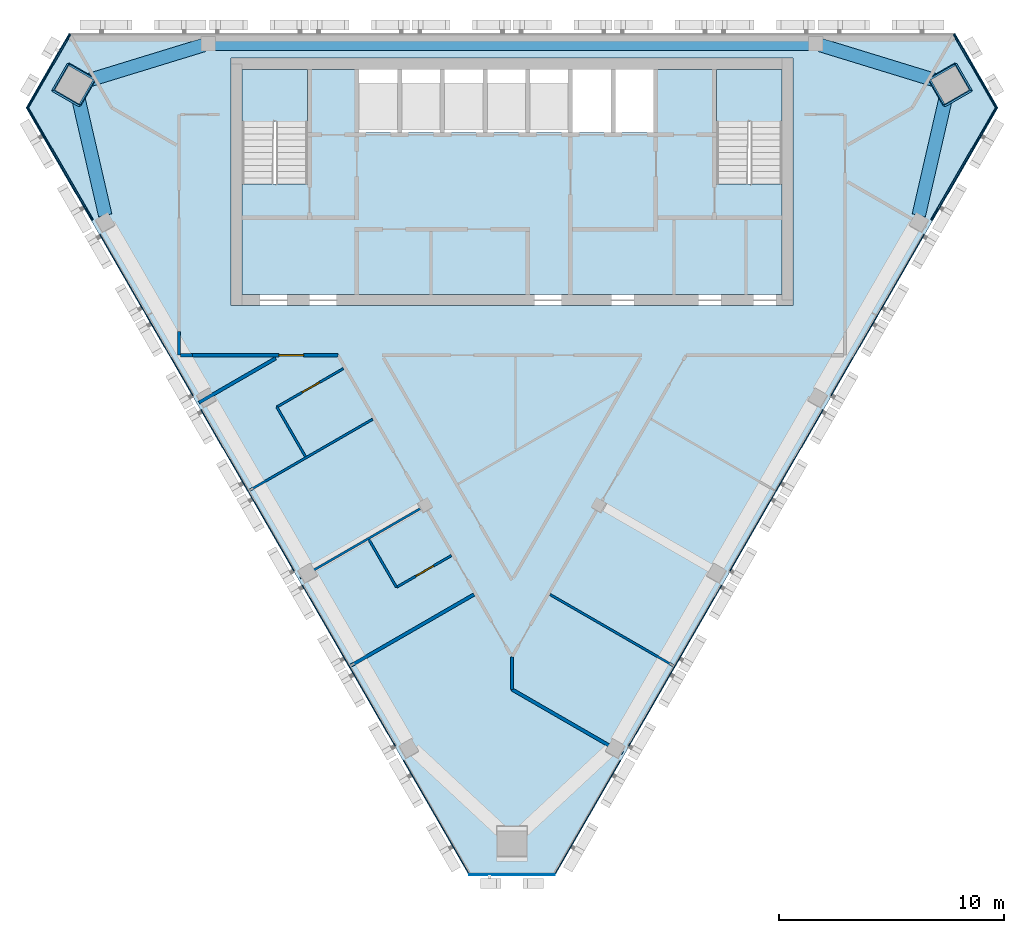
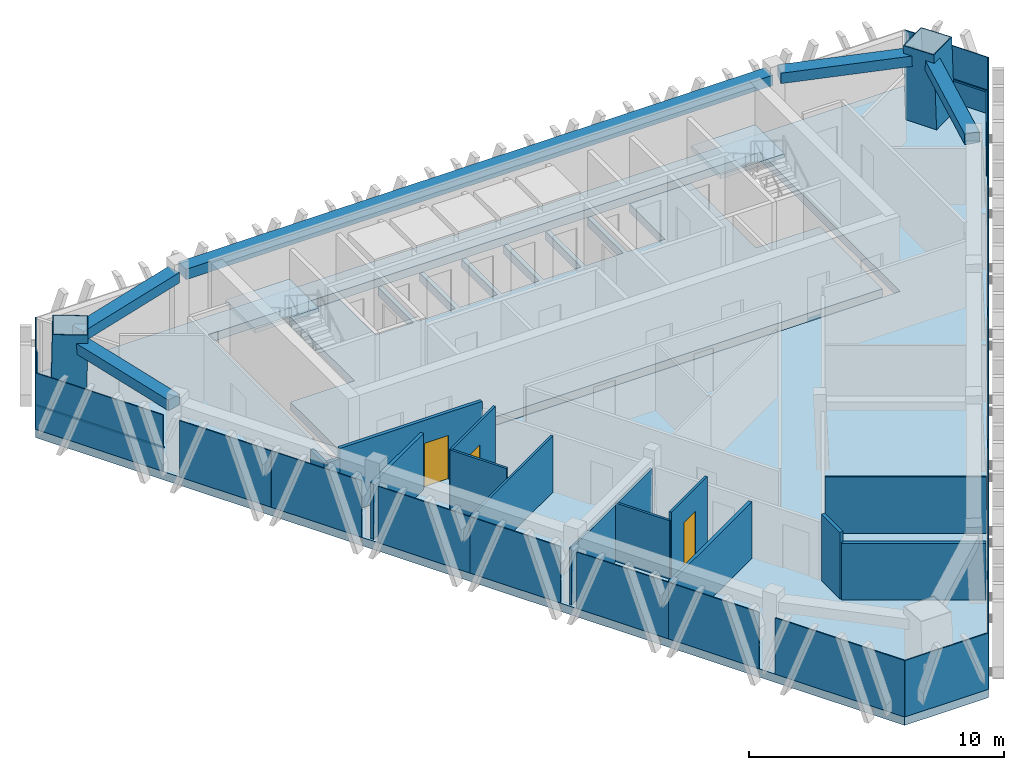
# One storey, part 5 of 12: 19 plates, 14 walls, 6 members, 5 beams, 4 slabs, 3 doors, 3 openings, 7 elements without a shape of their own.
"""IFC4 building model written with IfcOpenShell, lengths in metres."""

from ifc_helpers import new_model, si_unit, direction, frame, frame_2d, origin, origin_2d, place, context, subcontext, project, spatial, polyline, rectangle, hollow_rectangle, outline, extrude, material, layer, layer_set, material_profile, profile_set, type_object, element, fill, aggregate, save


model = new_model("IFC4")

# Units and contexts
model_context = context("Model", 3, precision=1e-05, world=origin(), true_north=direction((0.0, 1.0)))
body_context = subcontext(model_context, "Body", "Model", "MODEL_VIEW")
ifc_project = project(units=[si_unit("LENGTHUNIT", "METRE"), si_unit("AREAUNIT", "SQUARE_METRE"), si_unit("VOLUMEUNIT", "CUBIC_METRE"), si_unit("PLANEANGLEUNIT", "RADIAN"), si_unit("MASSUNIT", "GRAM", prefix="KILO")], contexts=[model_context])

# Site, building, storey
site_placement = place(None, origin())
site = spatial("IfcSite", under=ifc_project, at=site_placement, CompositionType="ELEMENT")
building_placement = place(site_placement, origin())
building = spatial("IfcBuilding", under=site, at=building_placement, Name="Altiplano Prism Tower", CompositionType="ELEMENT")
storey_placement = place(building_placement, frame((0.0, 0.0, 316.60009765625)))
storey = spatial("IfcBuildingStorey", under=building, at=storey_placement, Name="L82", CompositionType="ELEMENT", Elevation=316.60009765625)

# Curtain wall, member
ifc_material_1 = material(Name="Aluminium and glass", Category="aluminium")
ifc_layer_1 = layer(ifc_material_1, 0.280029296875)
ifc_layer_set_1 = layer_set([ifc_layer_1], Name="Aluminium and glass")
curtain_wall_type = type_object("IfcCurtainWallType", Name="CW1 typical co-living unitised curtain wall", PredefinedType="NOTDEFINED", material=ifc_layer_set_1)
curtain_wall_1_placement = place(storey_placement, origin())
curtain_wall_1 = element("IfcCurtainWall", 1, at=curtain_wall_1_placement, inside=storey, type_object=curtain_wall_type, Name="CW1 curtain wall north-west chamfer L82", PredefinedType="NOTDEFINED")
ifc_material_2 = material(Name="Aluminium", Category="aluminium")
ifc_material_profile_1 = material_profile(ifc_material_2, rectangle(XDim=0.06005859375, YDim=0.080078125, at=origin_2d()), Name="CW1 transom 80 x 60")
ifc_profile_set_1 = profile_set([ifc_material_profile_1], Name="Aluminium")
member_type_1 = type_object("IfcMemberType", Name="CW1 transom 80 x 60", PredefinedType="USERDEFINED", material=ifc_profile_set_1)
member_1_placement = place(storey_placement, frame((65.365234375, 104.965087890625, 1.099853515625), z_axis=(-0.49997957565, -0.866037195467, 0.0), x_axis=(0.866037195467, -0.49997957565, 0.0)))
member_1 = element("IfcMember", 2, at=member_1_placement, type_object=member_type_1, Name="CW1 transom", ObjectType="TRANSOM", PredefinedType="USERDEFINED", context=body_context, shape_type="SweptSolid", body=[
    extrude(rectangle(XDim=0.06005859375, YDim=0.080078125, at=origin_2d()), origin(), (0.0, 0.0, 1.0), 3.808349609375),
])

curtain_wall_2_placement = place(storey_placement, origin())
curtain_wall_2 = element("IfcCurtainWall", 3, at=curtain_wall_2_placement, inside=storey, type_object=curtain_wall_type, Name="CW1 curtain wall south-west face L82", PredefinedType="NOTDEFINED")
member_2_placement = place(storey_placement, frame((63.461181640625, 101.737060546875, 1.099853515625), z_axis=(0.499970617753, -0.866042366968, 0.0), x_axis=(0.866042366968, 0.499970617753, 0.0)))
member_2 = element("IfcMember", 4, at=member_2_placement, type_object=member_type_1, Name="CW1 transom", ObjectType="TRANSOM", PredefinedType="USERDEFINED", context=body_context, shape_type="SweptSolid", body=[
    extrude(rectangle(XDim=0.06005859375, YDim=0.080078125, at=origin_2d()), origin(), (0.0, 0.0, 1.0), 5.790771484375),
])

curtain_wall_3_placement = place(storey_placement, origin())
curtain_wall_3 = element("IfcCurtainWall", 5, at=curtain_wall_3_placement, inside=storey, type_object=curtain_wall_type, Name="CW1 curtain wall south-east face L82", PredefinedType="NOTDEFINED")
member_3_placement = place(storey_placement, frame((103.6435546875, 96.721923828125, 1.099853515625), z_axis=(0.499970617753, 0.866042366968, 0.0), x_axis=(-0.866042366968, 0.499970617753, 0.0)))
member_3 = element("IfcMember", 6, at=member_3_placement, type_object=member_type_1, Name="CW1 transom", ObjectType="TRANSOM", PredefinedType="USERDEFINED", context=body_context, shape_type="SweptSolid", body=[
    extrude(rectangle(XDim=0.06005859375, YDim=0.080078125, at=origin_2d()), origin(), (0.0, 0.0, 1.0), 5.790771484375),
])

curtain_wall_4_placement = place(storey_placement, origin())
curtain_wall_4 = element("IfcCurtainWall", 7, at=curtain_wall_4_placement, inside=storey, type_object=curtain_wall_type, Name="CW1 curtain wall north-east chamfer L82", PredefinedType="NOTDEFINED")
member_4_placement = place(storey_placement, frame((106.538818359375, 101.6669921875, 1.099853515625), z_axis=(-0.49997957565, 0.866037195467, 0.0), x_axis=(-0.866037195467, -0.49997957565, 0.0)))
member_4 = element("IfcMember", 8, at=member_4_placement, type_object=member_type_1, Name="CW1 transom", ObjectType="TRANSOM", PredefinedType="USERDEFINED", context=body_context, shape_type="SweptSolid", body=[
    extrude(rectangle(XDim=0.06005859375, YDim=0.080078125, at=origin_2d()), origin(), (0.0, 0.0, 1.0), 3.808349609375),
])

# Beams
ifc_material_3 = material(Name="Concrete C60/75", Category="concrete")
ifc_material_profile_2 = material_profile(ifc_material_3, rectangle(XDim=0.60009765625, YDim=0.5, at=origin_2d()), Name="Edge beam 600x500")
ifc_profile_set_2 = profile_set([ifc_material_profile_2], Name="Concrete C60/75")
beam_type = type_object("IfcBeamType", Name="Edge beam 600x500", PredefinedType="SPANDREL", material=ifc_profile_set_2)
for number, where, z_axis, x_axis, name in (
    (9, (103.081298828125, 96.91455078125, 2.949951171875), (0.2240779842, 0.974571216996, 0.0), (-0.974571216996, 0.2240779842, 0.0), "Edge beam P24-M2 L83"),
    (10, (103.9892578125, 102.8662109375, 2.949951171875), (-0.956030079321, 0.293268626746, 0.0), (-0.293268626746, -0.956030079321, 0.0), "Edge beam M2-P01 L83"),
):
    element("IfcBeam", number, at=place(storey_placement, frame(where, z_axis=z_axis, x_axis=x_axis)), inside=storey, type_object=beam_type, Name=name, PredefinedType="SPANDREL", context=body_context, shape_type="SweptSolid", body=[
        extrude(rectangle(XDim=0.60009765625, YDim=0.5, at=origin_2d()), origin(), (0.0, 0.0, 1.0), 5.521728515625),
    ])
beam_placement = place(storey_placement, frame((98.294921875, 104.550048828125, 2.949951171875), z_axis=(-1.0, 0.0, 0.0), x_axis=(0.0, -1.0, 0.0)))
element("IfcBeam", 11, at=beam_placement, inside=storey, type_object=beam_type, Name="Edge beam P01-P04 L83", PredefinedType="SPANDREL", context=body_context, shape_type="SweptSolid", body=[
    extrude(rectangle(XDim=0.60009765625, YDim=0.5, at=origin_2d()), origin(), (0.0, 0.0, 1.0), 26.58984375),
])
for number, where, z_axis, x_axis, name in (
    (12, (71.289794921875, 104.485595703125, 2.949951171875), (-0.956030079321, -0.293268626746, 0.0), (0.293268626746, -0.956030079321, 0.0), "Edge beam P04-M0 L83"),
    (13, (65.681396484375, 102.2958984375, 2.949951171875), (0.2240779842, -0.974571216996, 0.0), (0.974571216996, 0.2240779842, 0.0), "Edge beam M0-P11 L83"),
):
    element("IfcBeam", number, at=place(storey_placement, frame(where, z_axis=z_axis, x_axis=x_axis)), inside=storey, type_object=beam_type, Name=name, PredefinedType="SPANDREL", context=body_context, shape_type="SweptSolid", body=[
        extrude(rectangle(XDim=0.60009765625, YDim=0.5, at=origin_2d()), origin(), (0.0, 0.0, 1.0), 5.521728515625),
    ])

# Members
ifc_material_4 = material(Name="Steel S460", Category="steel")
ifc_material_profile_3 = material_profile(ifc_material_4, hollow_rectangle(XDim=1.39990234375, YDim=1.39990234375, WallThickness=0.0400390625, at=origin_2d()), Name="Mega column tube 1400")
ifc_profile_set_3 = profile_set([ifc_material_profile_3], Name="Steel S460")
member_type_2 = type_object("IfcMemberType", Name="Mega column tube 1400", PredefinedType="POST", material=ifc_profile_set_3)
for number, where, z_axis, x_axis, name in (
    (14, (65.478271484375, 102.700927734375, 0.0), (0.028403721265, 0.009287135593, 0.999553389135), (-0.866200449521, 0.499297278989, 0.019975195736), "Mega column tube M0 L82"),
    (15, (104.521728515625, 102.700927734375, 0.0), (-0.028403721265, 0.009287135593, 0.999553389135), (0.498888775048, -0.86638096488, 0.022226421766), "Mega column tube M2 L82"),
):
    element("IfcMember", number, at=place(storey_placement, frame(where, z_axis=z_axis, x_axis=x_axis)), inside=storey, type_object=member_type_2, Name=name, PredefinedType="POST", context=body_context, shape_type="SweptSolid", body=[
        extrude(hollow_rectangle(XDim=1.39990234375, YDim=1.39990234375, WallThickness=0.0400390625, at=origin_2d()), origin(), (0.0, 0.0, 1.0), 3.6015625),
    ])

# Plate
ifc_material_5 = material(Name="Clear glass", Category="glass")
ifc_layer_2 = layer(ifc_material_5, 0.0400390625)
ifc_layer_set_2 = layer_set([ifc_layer_2], Name="Clear glass")
plate_type = type_object("IfcPlateType", Name="CW1 insulated glass unit 40", PredefinedType="CURTAIN_PANEL", material=ifc_layer_set_2)
plate_1_placement = place(storey_placement, frame((64.369873046875, 103.341064453125, 0.0), z_axis=(0.0, 0.0, 1.0), x_axis=(-0.499999979338, -0.866025415714, 0.0)))
plate_1 = element("IfcPlate", 16, at=plate_1_placement, type_object=plate_type, Name="CW1 panel", PredefinedType="CURTAIN_PANEL", context=body_context, shape_type="SweptSolid", body=[
    extrude(rectangle(XDim=3.798095703125, YDim=0.0400390625, at=origin_2d()), origin(), (0.0, 0.0, 1.0), 2.699951171875),
])

aggregate(curtain_wall_1, [member_1, plate_1])

plate_2_placement = place(storey_placement, frame((64.865478515625, 99.20458984375, 0.0), z_axis=(0.0, 0.0, 1.0), x_axis=(0.500000006167, -0.866025400224, 0.0)))
plate_2 = element("IfcPlate", 17, at=plate_2_placement, type_object=plate_type, Name="CW1 panel", PredefinedType="CURTAIN_PANEL", context=body_context, shape_type="SweptSolid", body=[
    extrude(rectangle(XDim=5.78076171875, YDim=0.0400390625, at=origin_2d()), origin(), (0.0, 0.0, 1.0), 2.699951171875),
])

plate_3_placement = place(storey_placement, frame((67.721923828125, 94.257080078125, 0.0), z_axis=(0.0, 0.0, 1.0), x_axis=(0.500000006167, -0.866025400224, 0.0)))
plate_3 = element("IfcPlate", 18, at=plate_3_placement, type_object=plate_type, Name="CW1 panel", PredefinedType="CURTAIN_PANEL", context=body_context, shape_type="SweptSolid", body=[
    extrude(rectangle(XDim=4.16455078125, YDim=0.0400390625, at=origin_2d()), origin(), (0.0, 0.0, 1.0), 2.699951171875),
])

plate_4_placement = place(storey_placement, frame((69.789306640625, 90.676025390625, 0.0), z_axis=(0.0, 0.0, 1.0), x_axis=(0.500000006167, -0.866025400224, 0.0)))
plate_4 = element("IfcPlate", 19, at=plate_4_placement, type_object=plate_type, Name="CW1 panel", PredefinedType="CURTAIN_PANEL", context=body_context, shape_type="SweptSolid", body=[
    extrude(rectangle(XDim=4.08544921875, YDim=0.0400390625, at=origin_2d()), origin(), (0.0, 0.0, 1.0), 2.699951171875),
])

plate_5_placement = place(storey_placement, frame((72.221923828125, 86.462890625, 0.0), z_axis=(0.0, 0.0, 1.0), x_axis=(0.500000006167, -0.866025400224, 0.0)))
plate_5 = element("IfcPlate", 20, at=plate_5_placement, type_object=plate_type, Name="CW1 panel", PredefinedType="CURTAIN_PANEL", context=body_context, shape_type="SweptSolid", body=[
    extrude(rectangle(XDim=4.16455078125, YDim=0.0400390625, at=origin_2d()), origin(), (0.0, 0.0, 1.0), 2.699951171875),
])

plate_6_placement = place(storey_placement, frame((74.289306640625, 82.8818359375, 0.0), z_axis=(0.0, 0.0, 1.0), x_axis=(0.500000006167, -0.866025400224, 0.0)))
plate_6 = element("IfcPlate", 21, at=plate_6_placement, type_object=plate_type, Name="CW1 panel", PredefinedType="CURTAIN_PANEL", context=body_context, shape_type="SweptSolid", body=[
    extrude(rectangle(XDim=4.08544921875, YDim=0.0400390625, at=origin_2d()), origin(), (0.0, 0.0, 1.0), 2.699951171875),
])

plate_7_placement = place(storey_placement, frame((76.721923828125, 78.668701171875, 0.0), z_axis=(0.0, 0.0, 1.0), x_axis=(0.500000006167, -0.866025400224, 0.0)))
plate_7 = element("IfcPlate", 22, at=plate_7_placement, type_object=plate_type, Name="CW1 panel", PredefinedType="CURTAIN_PANEL", context=body_context, shape_type="SweptSolid", body=[
    extrude(rectangle(XDim=4.16455078125, YDim=0.0400390625, at=origin_2d()), origin(), (0.0, 0.0, 1.0), 2.699951171875),
])

plate_8_placement = place(storey_placement, frame((78.789306640625, 75.087646484375, 0.0), z_axis=(0.0, 0.0, 1.0), x_axis=(0.500000006167, -0.866025400224, 0.0)))
plate_8 = element("IfcPlate", 23, at=plate_8_placement, type_object=plate_type, Name="CW1 panel", PredefinedType="CURTAIN_PANEL", context=body_context, shape_type="SweptSolid", body=[
    extrude(rectangle(XDim=4.08544921875, YDim=0.0400390625, at=origin_2d()), origin(), (0.0, 0.0, 1.0), 2.699951171875),
])

plate_9_placement = place(storey_placement, frame((81.645751953125, 70.140380859375, 0.0), z_axis=(0.0, 0.0, 1.0), x_axis=(0.500000006167, -0.866025400224, 0.0)))
plate_9 = element("IfcPlate", 24, at=plate_9_placement, type_object=plate_type, Name="CW1 panel", PredefinedType="CURTAIN_PANEL", context=body_context, shape_type="SweptSolid", body=[
    extrude(rectangle(XDim=5.85986328125, YDim=0.0400390625, at=origin_2d()), origin(), (0.0, 0.0, 1.0), 2.699951171875),
])

aggregate(curtain_wall_2, [member_2, plate_2, plate_3, plate_4, plate_5, plate_6, plate_7, plate_8, plate_9])

# Curtain wall, plate
curtain_wall_5_placement = place(storey_placement, origin())
curtain_wall_5 = element("IfcCurtainWall", 25, at=curtain_wall_5_placement, inside=storey, type_object=curtain_wall_type, Name="CW1 curtain wall south chamfer L82", PredefinedType="NOTDEFINED")
plate_10_placement = place(storey_placement, frame((85.0, 67.6083984375, 0.0), z_axis=(0.0, 0.0, 1.0), x_axis=(1.0, 0.0, 0.0)))
plate_10 = element("IfcPlate", 26, at=plate_10_placement, type_object=plate_type, Name="CW1 panel", PredefinedType="CURTAIN_PANEL", context=body_context, shape_type="SweptSolid", body=[
    extrude(rectangle(XDim=3.798095703125, YDim=0.0400390625, at=origin_2d()), origin(), (0.0, 0.0, 1.0), 2.699951171875),
])
aggregate(curtain_wall_5, [plate_10])

# Plate
plate_11_placement = place(storey_placement, frame((88.354248046875, 70.140380859375, 0.0), z_axis=(0.0, 0.0, 1.0), x_axis=(0.500000006167, 0.866025400224, 0.0)))
plate_11 = element("IfcPlate", 27, at=plate_11_placement, type_object=plate_type, Name="CW1 panel", PredefinedType="CURTAIN_PANEL", context=body_context, shape_type="SweptSolid", body=[
    extrude(rectangle(XDim=5.85986328125, YDim=0.0400390625, at=origin_2d()), origin(), (0.0, 0.0, 1.0), 2.699951171875),
])

plate_12_placement = place(storey_placement, frame((91.210693359375, 75.087646484375, 0.0), z_axis=(0.0, 0.0, 1.0), x_axis=(0.500000006167, 0.866025400224, 0.0)))
plate_12 = element("IfcPlate", 28, at=plate_12_placement, type_object=plate_type, Name="CW1 panel", PredefinedType="CURTAIN_PANEL", context=body_context, shape_type="SweptSolid", body=[
    extrude(rectangle(XDim=4.08544921875, YDim=0.0400390625, at=origin_2d()), origin(), (0.0, 0.0, 1.0), 2.699951171875),
])

plate_13_placement = place(storey_placement, frame((93.278076171875, 78.668701171875, 0.0), z_axis=(0.0, 0.0, 1.0), x_axis=(0.500000006167, 0.866025400224, 0.0)))
plate_13 = element("IfcPlate", 29, at=plate_13_placement, type_object=plate_type, Name="CW1 panel", PredefinedType="CURTAIN_PANEL", context=body_context, shape_type="SweptSolid", body=[
    extrude(rectangle(XDim=4.16455078125, YDim=0.0400390625, at=origin_2d()), origin(), (0.0, 0.0, 1.0), 2.699951171875),
])

plate_14_placement = place(storey_placement, frame((95.710693359375, 82.8818359375, 0.0), z_axis=(0.0, 0.0, 1.0), x_axis=(0.500000006167, 0.866025400224, 0.0)))
plate_14 = element("IfcPlate", 30, at=plate_14_placement, type_object=plate_type, Name="CW1 panel", PredefinedType="CURTAIN_PANEL", context=body_context, shape_type="SweptSolid", body=[
    extrude(rectangle(XDim=4.08544921875, YDim=0.0400390625, at=origin_2d()), origin(), (0.0, 0.0, 1.0), 2.699951171875),
])

plate_15_placement = place(storey_placement, frame((97.778076171875, 86.462890625, 0.0), z_axis=(0.0, 0.0, 1.0), x_axis=(0.500000006167, 0.866025400224, 0.0)))
plate_15 = element("IfcPlate", 31, at=plate_15_placement, type_object=plate_type, Name="CW1 panel", PredefinedType="CURTAIN_PANEL", context=body_context, shape_type="SweptSolid", body=[
    extrude(rectangle(XDim=4.16455078125, YDim=0.0400390625, at=origin_2d()), origin(), (0.0, 0.0, 1.0), 2.699951171875),
])

plate_16_placement = place(storey_placement, frame((100.210693359375, 90.676025390625, 0.0), z_axis=(0.0, 0.0, 1.0), x_axis=(0.500000006167, 0.866025400224, 0.0)))
plate_16 = element("IfcPlate", 32, at=plate_16_placement, type_object=plate_type, Name="CW1 panel", PredefinedType="CURTAIN_PANEL", context=body_context, shape_type="SweptSolid", body=[
    extrude(rectangle(XDim=4.08544921875, YDim=0.0400390625, at=origin_2d()), origin(), (0.0, 0.0, 1.0), 2.699951171875),
])

plate_17_placement = place(storey_placement, frame((102.278076171875, 94.257080078125, 0.0), z_axis=(0.0, 0.0, 1.0), x_axis=(0.500000006167, 0.866025400224, 0.0)))
plate_17 = element("IfcPlate", 33, at=plate_17_placement, type_object=plate_type, Name="CW1 panel", PredefinedType="CURTAIN_PANEL", context=body_context, shape_type="SweptSolid", body=[
    extrude(rectangle(XDim=4.16455078125, YDim=0.0400390625, at=origin_2d()), origin(), (0.0, 0.0, 1.0), 2.699951171875),
])

plate_18_placement = place(storey_placement, frame((105.134521484375, 99.20458984375, 0.0), z_axis=(0.0, 0.0, 1.0), x_axis=(0.500000006167, 0.866025400224, 0.0)))
plate_18 = element("IfcPlate", 34, at=plate_18_placement, type_object=plate_type, Name="CW1 panel", PredefinedType="CURTAIN_PANEL", context=body_context, shape_type="SweptSolid", body=[
    extrude(rectangle(XDim=5.78076171875, YDim=0.0400390625, at=origin_2d()), origin(), (0.0, 0.0, 1.0), 2.699951171875),
])

aggregate(curtain_wall_3, [plate_11, plate_12, plate_13, plate_14, plate_15, plate_16, plate_17, member_3, plate_18])

plate_19_placement = place(storey_placement, frame((105.630126953125, 103.341064453125, 0.0), z_axis=(0.0, 0.0, 1.0), x_axis=(-0.499999979338, 0.866025415714, 0.0)))
plate_19 = element("IfcPlate", 35, at=plate_19_placement, type_object=plate_type, Name="CW1 panel", PredefinedType="CURTAIN_PANEL", context=body_context, shape_type="SweptSolid", body=[
    extrude(rectangle(XDim=3.798095703125, YDim=0.0400390625, at=origin_2d()), origin(), (0.0, 0.0, 1.0), 2.699951171875),
])

aggregate(curtain_wall_4, [member_4, plate_19])

# Slabs
ifc_material_6 = material(Name="Concrete C40/50", Category="concrete")
ifc_layer_3 = layer(ifc_material_6, 0.39990234375)
ifc_layer_set_3 = layer_set([ifc_layer_3], Name="Concrete C40/50")
slab_type_1 = type_object("IfcSlabType", Name="Core floor slab 400", PredefinedType="FLOOR", material=ifc_layer_set_3)
slab_1_placement = place(storey_placement, frame((0.0, 0.0, -0.400146484375)))
element("IfcSlab", 36, at=slab_1_placement, inside=storey, type_object=slab_type_1, Name="Core floor slab L82", PredefinedType="FLOOR", context=body_context, shape_type="SweptSolid", body=[
    extrude(outline(polyline([(97.0, 98.31005859375), (94.10009765625, 98.31005859375), (94.10009765625, 103.39990234375), (91.300048828125, 103.39990234375), (91.300048828125, 100.60009765625), (89.60009765625, 100.60009765625), (89.60009765625, 103.39990234375), (89.39990234375, 103.39990234375), (89.39990234375, 100.60009765625), (87.699951171875, 100.60009765625), (87.699951171875, 103.39990234375), (87.5, 103.39990234375), (87.5, 100.60009765625), (85.800048828125, 100.60009765625), (85.800048828125, 103.39990234375), (85.60009765625, 103.39990234375), (85.60009765625, 100.60009765625), (83.89990234375, 100.60009765625), (83.89990234375, 103.39990234375), (83.699951171875, 103.39990234375), (83.699951171875, 100.60009765625), (82.0, 100.60009765625), (82.0, 103.39990234375), (81.800048828125, 103.39990234375), (81.800048828125, 100.60009765625), (80.10009765625, 100.60009765625), (80.10009765625, 103.39990234375), (79.89990234375, 103.39990234375), (79.89990234375, 100.60009765625), (78.199951171875, 100.60009765625), (78.199951171875, 103.39990234375), (75.89990234375, 103.39990234375), (75.89990234375, 98.31005859375), (73.0, 98.31005859375), (73.0, 93.39990234375), (97.0, 93.39990234375), (97.0, 98.31005859375)])), origin(), (0.0, 0.0, 1.0), 0.400146484375),
])
ifc_layer_4 = layer(ifc_material_6, 0.39990234375)
ifc_layer_set_4 = layer_set([ifc_layer_4], Name="Concrete C40/50")
slab_type_2 = type_object("IfcSlabType", Name="Post-tensioned flat slab 400", PredefinedType="FLOOR", material=ifc_layer_set_4)
slab_2_placement = place(storey_placement, frame((0.0, 0.0, -0.400146484375)))
element("IfcSlab", 37, at=slab_2_placement, inside=storey, type_object=slab_type_2, Name="Floor slab L82", PredefinedType="FLOOR", context=body_context, shape_type="SweptSolid", body=[
    extrude(outline(polyline([(106.599609375, 101.701904296875), (86.904052734375, 67.588623046875), (83.095947265625, 67.588623046875), (63.400390625, 101.701904296875), (65.304443359375, 105.0), (104.695556640625, 105.0), (106.599609375, 101.701904296875)]), holes=[polyline([(97.5, 92.89990234375), (97.5, 103.89990234375), (72.5, 103.89990234375), (72.5, 92.89990234375), (97.5, 92.89990234375)])]), origin(), (0.0, 0.0, 1.0), 0.400146484375),
])

# Stair, slab
stair_type = type_object("IfcStairType", Name="Exit stair 1400", PredefinedType="HALF_TURN_STAIR", material=ifc_material_6)
stair_1_placement = place(storey_placement, origin())
stair_1 = element("IfcStair", 38, at=stair_1_placement, inside=storey, type_object=stair_type, Name="L82 Exit Stair 1", PredefinedType="HALF_TURN_STAIR")
ifc_layer_5 = layer(ifc_material_6, 0.199951171875)
ifc_layer_set_5 = layer_set([ifc_layer_5], Name="Concrete C40/50")
slab_type_3 = type_object("IfcSlabType", Name="Stair landing 200", PredefinedType="LANDING", material=ifc_layer_set_5)
slab_3_placement = place(storey_placement, frame((0.0, 0.0, 1.599853515625)))
slab_3 = element("IfcSlab", 39, at=slab_3_placement, type_object=slab_type_3, Name="ST1 landing 1", PredefinedType="LANDING", context=body_context, shape_type="SweptSolid", body=[
    extrude(outline(polyline([(75.89990234375, 101.096923828125), (75.89990234375, 103.39990234375), (73.0, 103.39990234375), (73.0, 101.096923828125), (75.89990234375, 101.096923828125)])), origin(), (0.0, 0.0, 1.0), 0.199951171875),
])
aggregate(stair_1, [slab_3])

stair_2_placement = place(storey_placement, origin())
stair_2 = element("IfcStair", 40, at=stair_2_placement, inside=storey, type_object=stair_type, Name="L82 Exit Stair 2", PredefinedType="HALF_TURN_STAIR")
slab_4_placement = place(storey_placement, frame((0.0, 0.0, 1.599853515625)))
slab_4 = element("IfcSlab", 41, at=slab_4_placement, type_object=slab_type_3, Name="ST2 landing 1", PredefinedType="LANDING", context=body_context, shape_type="SweptSolid", body=[
    extrude(outline(polyline([(97.0, 101.096923828125), (97.0, 103.39990234375), (94.10009765625, 103.39990234375), (94.10009765625, 101.096923828125), (97.0, 101.096923828125)])), origin(), (0.0, 0.0, 1.0), 0.199951171875),
])
aggregate(stair_2, [slab_4])

# Wall
ifc_material_7 = material(Name="Plasterboard on steel stud", Category="steel")
ifc_layer_6 = layer(ifc_material_7, 0.10009765625)
ifc_layer_set_6 = layer_set([ifc_layer_6], Name="Plasterboard on steel stud")
wall_type_1 = type_object("IfcWallType", Name="Partition 100 unit", PredefinedType="PARTITIONING", material=ifc_layer_set_6)
wall_1_placement = place(storey_placement, frame((75.8212890625, 86.1884765625, 0.0), z_axis=(0.0, 0.0, 1.0), x_axis=(-0.500020783669, 0.866013403995, 0.0)))
element("IfcWall", 42, at=wall_1_placement, inside=storey, type_object=wall_type_1, Name="Partition P02 L82 022", PredefinedType="PARTITIONING", context=body_context, shape_type="SweptSolid", body=[
    extrude(rectangle(XDim=2.55029296875, YDim=0.10009765625, at=frame_2d((1.275146484375, 0.0))), origin(), (0.0, 0.0, 1.0), 3.199951171875),
])

# Wall, opening, door
wall_2_placement = place(storey_placement, frame((74.546142578125, 88.39697265625, 0.0), z_axis=(0.0, 0.0, 1.0), x_axis=(0.866050272892, 0.499956922968, 0.0)))
wall_2 = element("IfcWall", 43, at=wall_2_placement, inside=storey, type_object=wall_type_1, Name="Partition P02 L82 023", PredefinedType="PARTITIONING", context=body_context, shape_type="SweptSolid", body=[
    extrude(rectangle(XDim=3.425048828125, YDim=0.10009765625, at=frame_2d((1.71240234375, 0.0))), origin(), (0.0, 0.0, 1.0), 3.199951171875),
])
opening_1_placement = place(wall_2_placement, frame((1.300048828125, 0.0, 0.0)))
opening_1 = element("IfcOpeningElement", 44, at=opening_1_placement, cuts=wall_2, Name="Opening D2413", PredefinedType="OPENING", context=body_context, shape_type="SweptSolid", body=[
    extrude(rectangle(XDim=0.89990234375, YDim=2.10009765625, at=frame_2d((0.449951171875, 1.050048828125))), frame((0.0, 0.060546875, 0.0), z_axis=(0.0, -1.0, 0.0), x_axis=(1.0, 0.0, 0.0)), (0.0, 0.0, 1.0), 0.12109375),
])
ifc_material_8 = material(Name="Timber", Category="wood")
door_type_1 = type_object("IfcDoorType", Name="Accessible ensuite door 900 x 2100", OperationType="NOTDEFINED", PredefinedType="NOTDEFINED", material=ifc_material_8)
door_1_placement = place(opening_1_placement, origin())
door_1 = element("IfcDoor", 45, at=door_1_placement, inside=storey, type_object=door_type_1, Name="Door D2413", OperationType="SINGLE_SWING_RIGHT", OverallHeight=2.10009765625, OverallWidth=0.89990234375, PredefinedType="NOTDEFINED", context=body_context, shape_type="SweptSolid", body=[
    extrude(rectangle(XDim=0.89990234375, YDim=2.10009765625, at=frame_2d((0.449951171875, 1.050048828125))), frame((0.0, 0.02490234375, 0.0), z_axis=(0.0, -1.0, 0.0), x_axis=(1.0, 0.0, 0.0)), (0.0, 0.0, 1.0), 0.050048828125),
])
fill(opening_1, door_1)

wall_3_placement = place(storey_placement, frame((82.3125, 81.795654296875, 0.0), z_axis=(0.0, 0.0, 1.0), x_axis=(-0.866011447264, -0.500024172624, 0.0)))
wall_3 = element("IfcWall", 46, at=wall_3_placement, inside=storey, type_object=wall_type_1, Name="Partition P02 L82 026", PredefinedType="PARTITIONING", context=body_context, shape_type="SweptSolid", body=[
    extrude(rectangle(XDim=2.824951171875, YDim=0.10009765625, at=frame_2d((1.41259765625, 0.0))), origin(), (0.0, 0.0, 1.0), 3.199951171875),
])
opening_2_placement = place(wall_3_placement, frame((0.925048828125, 0.0, 0.0)))
opening_2 = element("IfcOpeningElement", 47, at=opening_2_placement, cuts=wall_3, Name="Opening D2416", PredefinedType="OPENING", context=body_context, shape_type="SweptSolid", body=[
    extrude(rectangle(XDim=0.89990234375, YDim=2.10009765625, at=frame_2d((0.449951171875, 1.050048828125))), frame((0.0, 0.060546875, 0.0), z_axis=(0.0, -1.0, 0.0), x_axis=(1.0, 0.0, 0.0)), (0.0, 0.0, 1.0), 0.12109375),
])
door_type_2 = type_object("IfcDoorType", Name="Ensuite door 900 x 2100", OperationType="NOTDEFINED", PredefinedType="NOTDEFINED", material=ifc_material_8)
door_2_placement = place(opening_2_placement, origin())
door_2 = element("IfcDoor", 48, at=door_2_placement, inside=storey, type_object=door_type_2, Name="Door D2416", OperationType="SINGLE_SWING_LEFT", OverallHeight=2.10009765625, OverallWidth=0.89990234375, PredefinedType="NOTDEFINED", context=body_context, shape_type="SweptSolid", body=[
    extrude(rectangle(XDim=0.89990234375, YDim=2.10009765625, at=frame_2d((0.449951171875, 1.050048828125))), frame((0.0, 0.02490234375, 0.0), z_axis=(0.0, -1.0, 0.0), x_axis=(1.0, 0.0, 0.0)), (0.0, 0.0, 1.0), 0.050048828125),
])
fill(opening_2, door_2)

# Walls
wall_4_placement = place(storey_placement, frame((79.865966796875, 80.383056640625, 0.0), z_axis=(0.0, 0.0, 1.0), x_axis=(-0.500018594424, 0.866014668023, 0.0)))
element("IfcWall", 49, at=wall_4_placement, inside=storey, type_object=wall_type_1, Name="Partition P02 L82 027", PredefinedType="PARTITIONING", context=body_context, shape_type="SweptSolid", body=[
    extrude(rectangle(XDim=2.4501953125, YDim=0.10009765625, at=frame_2d((1.22509765625, 0.0))), origin(), (0.0, 0.0, 1.0), 2.7998046875),
])
ifc_layer_7 = layer(ifc_material_7, 0.10009765625)
ifc_layer_set_7 = layer_set([ifc_layer_7], Name="Plasterboard on steel stud")
wall_type_2 = type_object("IfcWallType", Name="Partition 100 wet", PredefinedType="PARTITIONING", material=ifc_layer_set_7)
wall_5_placement = place(storey_placement, frame((73.3173828125, 84.68505859375, 0.0), z_axis=(0.0, 0.0, 1.0), x_axis=(0.866025401434, 0.500000004071, 0.0)))
element("IfcWall", 50, at=wall_5_placement, inside=storey, type_object=wall_type_2, Name="Partition P03 L82 024", PredefinedType="PARTITIONING", context=body_context, shape_type="SweptSolid", body=[
    extrude(rectangle(XDim=6.34521484375, YDim=0.10009765625, at=frame_2d((3.172607421875, 0.0))), origin(), (0.0, 0.0, 1.0), 2.699951171875),
])
wall_6_placement = place(storey_placement, frame((75.584716796875, 80.798095703125, 0.0), z_axis=(0.0, 0.0, 1.0), x_axis=(0.866025537322, 0.499999768706, 0.0)))
element("IfcWall", 51, at=wall_6_placement, inside=storey, type_object=wall_type_2, Name="Partition P03 L82 025", PredefinedType="PARTITIONING", context=body_context, shape_type="SweptSolid", body=[
    extrude(rectangle(XDim=6.3251953125, YDim=0.10009765625, at=frame_2d((3.16259765625, 0.0))), origin(), (0.0, 0.0, 1.0), 2.699951171875),
])
wall_7_placement = place(storey_placement, frame((92.1826171875, 76.890869140625, 0.0), z_axis=(0.0, 0.0, 1.0), x_axis=(-0.866025401434, 0.500000004071, 0.0)))
element("IfcWall", 52, at=wall_7_placement, inside=storey, type_object=wall_type_2, Name="Partition P03 L82 031", PredefinedType="PARTITIONING", context=body_context, shape_type="SweptSolid", body=[
    extrude(rectangle(XDim=6.34521484375, YDim=0.10009765625, at=frame_2d((3.172607421875, 0.0))), origin(), (0.0, 0.0, 1.0), 2.699951171875),
])
ifc_layer_8 = layer(ifc_material_7, 0.14990234375)
ifc_layer_set_8 = layer_set([ifc_layer_8], Name="Plasterboard on steel stud")
wall_type_3 = type_object("IfcWallType", Name="Partition 150 corridor", PredefinedType="PARTITIONING", material=ifc_layer_set_8)
wall_8_placement = place(storey_placement, frame((70.199951171875, 91.7421875, 0.0), z_axis=(0.0, 0.0, 1.0), x_axis=(0.0, -1.0, 0.0)))
element("IfcWall", 53, at=wall_8_placement, inside=storey, type_object=wall_type_3, Name="Partition P06 L82 005", PredefinedType="PARTITIONING", context=body_context, shape_type="SweptSolid", body=[
    extrude(rectangle(XDim=1.042236328125, YDim=0.14990234375, at=frame_2d((0.52099609375, 0.0))), origin(), (0.0, 0.0, 1.0), 2.699951171875),
])
wall_9_placement = place(storey_placement, frame((70.27490234375, 90.699951171875, 0.0), z_axis=(0.0, 0.0, 1.0), x_axis=(1.0, 0.0, 0.0)))
element("IfcWall", 54, at=wall_9_placement, inside=storey, type_object=wall_type_3, Name="Partition P06 L82 006", PredefinedType="PARTITIONING", context=body_context, shape_type="SweptSolid", body=[
    extrude(rectangle(XDim=0.526611328125, YDim=0.14990234375, at=frame_2d((0.26318359375, 0.0))), origin(), (0.0, 0.0, 1.0), 2.699951171875),
])

# Wall, opening, door
wall_10_placement = place(storey_placement, frame((70.801513671875, 90.699951171875, 0.0), z_axis=(0.0, 0.0, 1.0), x_axis=(1.0, 0.0, 0.0)))
wall_10 = element("IfcWall", 55, at=wall_10_placement, inside=storey, type_object=wall_type_3, Name="Partition P06 L82 007", PredefinedType="PARTITIONING", context=body_context, shape_type="SweptSolid", body=[
    extrude(rectangle(XDim=6.45654296875, YDim=0.14990234375, at=frame_2d((3.228271484375, 0.0))), origin(), (0.0, 0.0, 1.0), 3.199951171875),
])
opening_3_placement = place(wall_10_placement, frame((3.8330078125, 0.0, 0.0)))
opening_3 = element("IfcOpeningElement", 56, at=opening_3_placement, cuts=wall_10, Name="Opening D2412", PredefinedType="OPENING", context=body_context, shape_type="SweptSolid", body=[
    extrude(rectangle(XDim=1.10009765625, YDim=2.10009765625, at=frame_2d((0.550048828125, 1.050048828125))), frame((0.0, 0.08544921875, 0.0), z_axis=(0.0, -1.0, 0.0), x_axis=(1.0, 0.0, 0.0)), (0.0, 0.0, 1.0), 0.1708984375),
])
door_type_3 = type_object("IfcDoorType", Name="Accessible bedroom door 1100 x 2100", OperationType="NOTDEFINED", PredefinedType="NOTDEFINED", material=ifc_material_8)
door_3_placement = place(opening_3_placement, origin())
door_3 = element("IfcDoor", 57, at=door_3_placement, inside=storey, type_object=door_type_3, Name="Door D2412", OperationType="SINGLE_SWING_LEFT", OverallHeight=2.10009765625, OverallWidth=1.10009765625, PredefinedType="NOTDEFINED", context=body_context, shape_type="SweptSolid", body=[
    extrude(rectangle(XDim=1.10009765625, YDim=2.10009765625, at=frame_2d((0.550048828125, 1.050048828125))), frame((0.0, 0.02490234375, 0.0), z_axis=(0.0, -1.0, 0.0), x_axis=(1.0, 0.0, 0.0)), (0.0, 0.0, 1.0), 0.050048828125),
])
fill(opening_3, door_3)

# Walls
ifc_layer_9 = layer(ifc_material_7, 0.14990234375)
ifc_layer_set_9 = layer_set([ifc_layer_9], Name="Plasterboard on steel stud")
wall_type_4 = type_object("IfcWallType", Name="Partition 150 party", PredefinedType="PARTITIONING", material=ifc_layer_set_9)
wall_11_placement = place(storey_placement, frame((71.084716796875, 88.59228515625, 0.0), z_axis=(0.0, 0.0, 1.0), x_axis=(0.866020293397, 0.500008851346, 0.0)))
element("IfcWall", 58, at=wall_11_placement, inside=storey, type_object=wall_type_4, Name="Partition P01 L82 019", PredefinedType="PARTITIONING", context=body_context, shape_type="SweptSolid", body=[
    extrude(rectangle(XDim=3.935546875, YDim=0.14990234375, at=frame_2d((1.9677734375, 0.0))), origin(), (0.0, 0.0, 1.0), 2.699951171875),
])
wall_12_placement = place(storey_placement, frame((77.8173828125, 76.890869140625, 0.0), z_axis=(0.0, 0.0, 1.0), x_axis=(0.866025401434, 0.500000004071, 0.0)))
element("IfcWall", 59, at=wall_12_placement, inside=storey, type_object=wall_type_4, Name="Partition P01 L82 028", PredefinedType="PARTITIONING", context=body_context, shape_type="SweptSolid", body=[
    extrude(rectangle(XDim=6.34521484375, YDim=0.14990234375, at=frame_2d((3.172607421875, 0.0))), origin(), (0.0, 0.0, 1.0), 2.699951171875),
])
wall_13_placement = place(storey_placement, frame((89.915283203125, 73.00390625, 0.0), z_axis=(0.0, 0.0, 1.0), x_axis=(-0.866021547599, 0.500006679049, 0.0)))
element("IfcWall", 60, at=wall_13_placement, inside=storey, type_object=wall_type_4, Name="Partition P01 L82 029", PredefinedType="PARTITIONING", context=body_context, shape_type="SweptSolid", body=[
    extrude(rectangle(XDim=5.67578125, YDim=0.14990234375, at=frame_2d((2.837890625, 0.0))), origin(), (0.0, 0.0, 1.0), 2.699951171875),
])
wall_14_placement = place(storey_placement, frame((85.0, 75.841796875, 0.0), z_axis=(0.0, 0.0, 1.0), x_axis=(0.0, 1.0, 0.0)))
element("IfcWall", 61, at=wall_14_placement, inside=storey, type_object=wall_type_4, Name="Partition P01 L82 030", PredefinedType="PARTITIONING", context=body_context, shape_type="SweptSolid", body=[
    extrude(rectangle(XDim=1.44873046875, YDim=0.14990234375, at=frame_2d((0.724365234375, 0.0))), origin(), (0.0, 0.0, 1.0), 3.199951171875),
])

save(model, "model.ifc")
